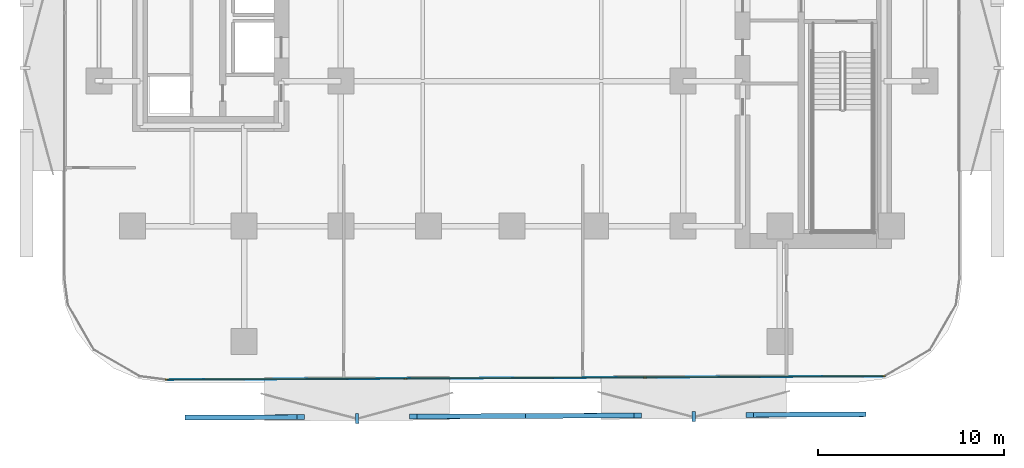
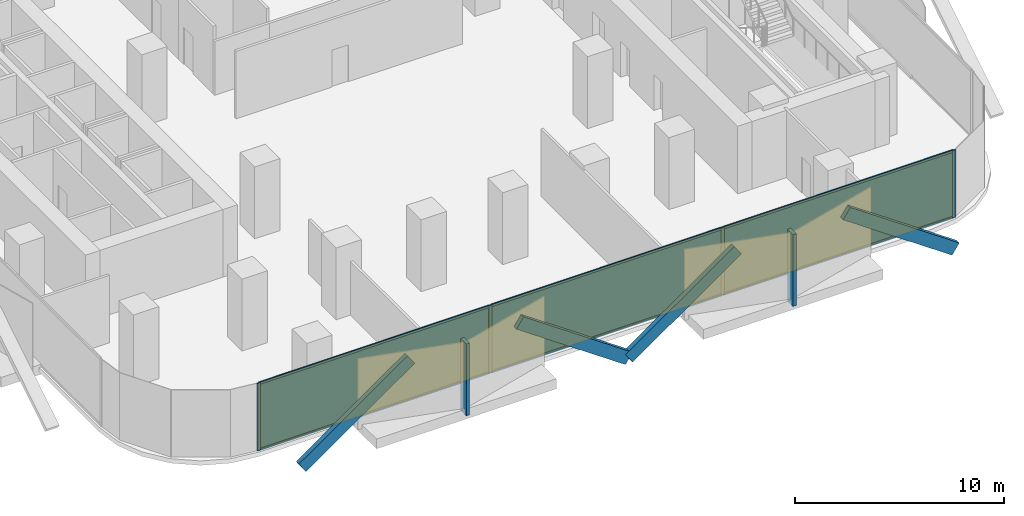
# One storey, part 7 of 15: 16 members, 3 plates, 1 curtain wall.
"""IFC4 building model written with IfcOpenShell, lengths in metres."""

from ifc_helpers import new_model, si_unit, direction, frame, frame_2d, origin, origin_2d, place, context, subcontext, project, spatial, rectangle, extrude, material, layer, layer_set, material_profile, profile_set, type_object, element, aggregate, save


model = new_model("IFC4")

# Units and contexts
model_context = context("Model", 3, precision=1e-05, world=origin(), true_north=direction((0.0, 1.0)))
body_context = subcontext(model_context, "Body", "Model", "MODEL_VIEW")
ifc_project = project(units=[si_unit("LENGTHUNIT", "METRE"), si_unit("AREAUNIT", "SQUARE_METRE"), si_unit("VOLUMEUNIT", "CUBIC_METRE"), si_unit("PLANEANGLEUNIT", "RADIAN"), si_unit("MASSUNIT", "GRAM", prefix="KILO")], contexts=[model_context])

# Member
ifc_material_1 = material(Name="Anodised Bronze Aluminium 6063-T6", Category="aluminium")
ifc_material_profile_1 = material_profile(ifc_material_1, rectangle(XDim=0.260009765625, YDim=0.699951171875, at=origin_2d()))
ifc_profile_set_1 = profile_set([ifc_material_profile_1], Name="Anodised Bronze Aluminium 6063-T6")
member_type_1 = type_object("IfcMemberType", Name="Bronze Diamond Solar-Screen Lattice Rib BDL-700", PredefinedType="MULLION", material=ifc_profile_set_1)
site_placement = place(None, origin())
building_placement = place(site_placement, origin())
storey_placement = place(building_placement, frame((0.0, 0.0, 51.199951171875)))
member_1_placement = place(storey_placement, frame((18.82275390625, -28.718505859375, -0.1298828125), z_axis=(-0.820743653079, -0.003984998518, 0.57128274586), x_axis=(-0.00764700594, 0.999962717129, -0.004010941449)))
member_1 = element("IfcMember", 1, at=member_1_placement, type_object=member_type_1, Name="L12 Bronze Diamond Solar Screen Lattice Rib 49A", PredefinedType="MULLION", context=body_context, shape_type="SweptSolid", body=[
    extrude(rectangle(XDim=0.260009765625, YDim=0.699951171875, at=origin_2d()), origin(), (0.0, 0.0, 1.0), 7.351806640625),
])

member_2_placement = place(storey_placement, frame((0.720947265625, -28.806396484375, -0.1298828125), z_axis=(0.820743653079, 0.003984998518, 0.57128274586), x_axis=(0.00764700594, -0.999962717129, -0.004010941449)))
member_2 = element("IfcMember", 2, at=member_2_placement, type_object=member_type_1, Name="L12 Bronze Diamond Solar Screen Lattice Rib 49B", PredefinedType="MULLION", context=body_context, shape_type="SweptSolid", body=[
    extrude(rectangle(XDim=0.260009765625, YDim=0.699951171875, at=origin_2d()), origin(), (0.0, 0.0, 1.0), 7.351806640625),
])

member_3_placement = place(storey_placement, frame((0.720947265625, -28.806396484375, -0.1298828125), z_axis=(-0.820743653079, -0.003984998518, 0.57128274586), x_axis=(-0.00764700594, 0.999962717129, -0.004010941449)))
member_3 = element("IfcMember", 3, at=member_3_placement, type_object=member_type_1, Name="L12 Bronze Diamond Solar Screen Lattice Rib 50A", PredefinedType="MULLION", context=body_context, shape_type="SweptSolid", body=[
    extrude(rectangle(XDim=0.260009765625, YDim=0.699951171875, at=origin_2d()), origin(), (0.0, 0.0, 1.0), 7.351806640625),
])

member_4_placement = place(storey_placement, frame((-17.380859375, -28.894287109375, -0.1298828125), z_axis=(0.820743653079, 0.003984998518, 0.57128274586), x_axis=(0.00764700594, -0.999962717129, -0.004010941449)))
member_4 = element("IfcMember", 4, at=member_4_placement, type_object=member_type_1, Name="L12 Bronze Diamond Solar Screen Lattice Rib 50B", PredefinedType="MULLION", context=body_context, shape_type="SweptSolid", body=[
    extrude(rectangle(XDim=0.260009765625, YDim=0.699951171875, at=origin_2d()), origin(), (0.0, 0.0, 1.0), 7.351806640625),
])

ifc_material_2 = material(Name="Anodised Bronze Aluminium 6063-T6", Category="aluminium")
ifc_material_profile_2 = material_profile(ifc_material_2, rectangle(XDim=0.179931640625, YDim=0.5400390625, at=origin_2d()))
ifc_profile_set_2 = profile_set([ifc_material_profile_2], Name="Anodised Bronze Aluminium 6063-T6")
member_type_2 = type_object("IfcMemberType", Name="Bronze Solar-Screen Vertical Fold Fin BSF-540", PredefinedType="MULLION", material=ifc_profile_set_2)
member_5_placement = place(storey_placement, frame((9.772216796875, -28.842529296875, -0.1298828125), z_axis=(0.0, 0.0, 1.0), x_axis=(-0.999988059021, -0.004886902454, 0.0)))
member_5 = element("IfcMember", 5, at=member_5_placement, type_object=member_type_2, Name="L12 Bronze Solar Screen Vertical Fin 49", PredefinedType="MULLION", context=body_context, shape_type="SweptSolid", body=[
    extrude(rectangle(XDim=0.179931640625, YDim=0.5400390625, at=origin_2d()), origin(), (0.0, 0.0, 1.0), 4.199951171875),
])

member_6_placement = place(storey_placement, frame((-8.32958984375, -28.930419921875, -0.1298828125), z_axis=(0.0, 0.0, 1.0), x_axis=(-0.999988059021, -0.004886902454, 0.0)))
member_6 = element("IfcMember", 6, at=member_6_placement, type_object=member_type_2, Name="L12 Bronze Solar Screen Vertical Fin 50", PredefinedType="MULLION", context=body_context, shape_type="SweptSolid", body=[
    extrude(rectangle(XDim=0.179931640625, YDim=0.5400390625, at=origin_2d()), origin(), (0.0, 0.0, 1.0), 4.199951171875),
])

ifc_material_3 = material(Name="Anodised Bronze Aluminium 6063-T6", Category="aluminium")
ifc_material_profile_3 = material_profile(ifc_material_3, rectangle(XDim=0.06494140625, YDim=0.179931640625, at=origin_2d()))
ifc_profile_set_3 = profile_set([ifc_material_profile_3], Name="Anodised Bronze Aluminium 6063-T6")
member_type_3 = type_object("IfcMemberType", Name="CW-Z1 Mullion 65x180", PredefinedType="MULLION", material=ifc_profile_set_3)
member_7_placement = place(storey_placement, frame((19.98046875, -26.6728515625, 0.0), z_axis=(0.0, 0.0, 1.0), x_axis=(0.004849219095, -0.999988242468, 0.0)))
member_7 = element("IfcMember", 7, at=member_7_placement, type_object=member_type_3, Name="CW-Z1 mullion 1", PredefinedType="MULLION", context=body_context, shape_type="SweptSolid", body=[
    extrude(rectangle(XDim=0.06494140625, YDim=0.179931640625, at=origin_2d()), origin(), (0.0, 0.0, 1.0), 3.93994140625),
])

member_8_placement = place(storey_placement, frame((7.14501953125, -26.735107421875, 0.0), z_axis=(0.0, 0.0, 1.0), x_axis=(0.004849219095, -0.999988242468, 0.0)))
member_8 = element("IfcMember", 8, at=member_8_placement, type_object=member_type_3, Name="CW-Z1 mullion 2", PredefinedType="MULLION", context=body_context, shape_type="SweptSolid", body=[
    extrude(rectangle(XDim=0.06494140625, YDim=0.179931640625, at=origin_2d()), origin(), (0.0, 0.0, 1.0), 3.93994140625),
])

member_9_placement = place(storey_placement, frame((-5.722900390625, -26.797607421875, 0.0), z_axis=(0.0, 0.0, 1.0), x_axis=(0.004849219095, -0.999988242468, 0.0)))
member_9 = element("IfcMember", 9, at=member_9_placement, type_object=member_type_3, Name="CW-Z1 mullion 3", PredefinedType="MULLION", context=body_context, shape_type="SweptSolid", body=[
    extrude(rectangle(XDim=0.06494140625, YDim=0.179931640625, at=origin_2d()), origin(), (0.0, 0.0, 1.0), 3.93994140625),
])

member_10_placement = place(storey_placement, frame((-18.558349609375, -26.85986328125, 0.0), z_axis=(0.0, 0.0, 1.0), x_axis=(0.004849219095, -0.999988242468, 0.0)))
member_10 = element("IfcMember", 10, at=member_10_placement, type_object=member_type_3, Name="CW-Z1 mullion 4", PredefinedType="MULLION", context=body_context, shape_type="SweptSolid", body=[
    extrude(rectangle(XDim=0.06494140625, YDim=0.179931640625, at=origin_2d()), origin(), (0.0, 0.0, 1.0), 3.93994140625),
])

ifc_material_4 = material(Name="Anodised Bronze Aluminium 6063-T6", Category="aluminium")
ifc_material_profile_4 = material_profile(ifc_material_4, rectangle(XDim=0.06494140625, YDim=0.139892578125, at=origin_2d()))
ifc_profile_set_4 = profile_set([ifc_material_profile_4], Name="Anodised Bronze Aluminium 6063-T6")
member_type_4 = type_object("IfcMemberType", Name="CW-Z1 Transom 65x140", PredefinedType="USERDEFINED", material=ifc_profile_set_4)
member_11_placement = place(storey_placement, frame((19.947998046875, -26.673095703125, 0.032470703125), z_axis=(-0.99998821055, -0.004855796541, 0.0), x_axis=(0.004855796541, -0.99998821055, 0.0)))
member_11 = element("IfcMember", 11, at=member_11_placement, type_object=member_type_4, Name="CW-Z1 transom 1.1", ObjectType="TRANSOM", PredefinedType="USERDEFINED", context=body_context, shape_type="SweptSolid", body=[
    extrude(rectangle(XDim=0.06494140625, YDim=0.139892578125, at=origin_2d()), origin(), (0.0, 0.0, 1.0), 12.770751953125),
])

member_12_placement = place(storey_placement, frame((19.947998046875, -26.673095703125, 3.907470703125), z_axis=(-0.99998821055, -0.004855796541, 0.0), x_axis=(0.004855796541, -0.99998821055, 0.0)))
member_12 = element("IfcMember", 12, at=member_12_placement, type_object=member_type_4, Name="CW-Z1 transom 1.2", ObjectType="TRANSOM", PredefinedType="USERDEFINED", context=body_context, shape_type="SweptSolid", body=[
    extrude(rectangle(XDim=0.06494140625, YDim=0.139892578125, at=origin_2d()), origin(), (0.0, 0.0, 1.0), 12.770751953125),
])

member_13_placement = place(storey_placement, frame((7.112548828125, -26.7353515625, 0.032470703125), z_axis=(-0.999988270274, -0.004843481639, 0.0), x_axis=(0.004843481639, -0.999988270274, 0.0)))
member_13 = element("IfcMember", 13, at=member_13_placement, type_object=member_type_4, Name="CW-Z1 transom 2.1", ObjectType="TRANSOM", PredefinedType="USERDEFINED", context=body_context, shape_type="SweptSolid", body=[
    extrude(rectangle(XDim=0.06494140625, YDim=0.139892578125, at=origin_2d()), origin(), (0.0, 0.0, 1.0), 12.80322265625),
])

member_14_placement = place(storey_placement, frame((7.112548828125, -26.7353515625, 3.907470703125), z_axis=(-0.999988270274, -0.004843481639, 0.0), x_axis=(0.004843481639, -0.999988270274, 0.0)))
member_14 = element("IfcMember", 14, at=member_14_placement, type_object=member_type_4, Name="CW-Z1 transom 2.2", ObjectType="TRANSOM", PredefinedType="USERDEFINED", context=body_context, shape_type="SweptSolid", body=[
    extrude(rectangle(XDim=0.06494140625, YDim=0.139892578125, at=origin_2d()), origin(), (0.0, 0.0, 1.0), 12.80322265625),
])

member_15_placement = place(storey_placement, frame((-5.75537109375, -26.7978515625, 0.032470703125), z_axis=(-0.999988303196, -0.00483667968, 0.0), x_axis=(0.00483667968, -0.999988303196, 0.0)))
member_15 = element("IfcMember", 15, at=member_15_placement, type_object=member_type_4, Name="CW-Z1 transom 3.1", ObjectType="TRANSOM", PredefinedType="USERDEFINED", context=body_context, shape_type="SweptSolid", body=[
    extrude(rectangle(XDim=0.06494140625, YDim=0.139892578125, at=origin_2d()), origin(), (0.0, 0.0, 1.0), 12.770751953125),
])

member_16_placement = place(storey_placement, frame((-5.75537109375, -26.7978515625, 3.907470703125), z_axis=(-0.999988303196, -0.00483667968, 0.0), x_axis=(0.00483667968, -0.999988303196, 0.0)))
member_16 = element("IfcMember", 16, at=member_16_placement, type_object=member_type_4, Name="CW-Z1 transom 3.2", ObjectType="TRANSOM", PredefinedType="USERDEFINED", context=body_context, shape_type="SweptSolid", body=[
    extrude(rectangle(XDim=0.06494140625, YDim=0.139892578125, at=origin_2d()), origin(), (0.0, 0.0, 1.0), 12.770751953125),
])

# Plate
ifc_material_5 = material(Name="Low-E Solar Control Laminated Glass", Category="glass")
ifc_layer_1 = layer(ifc_material_5, 0.028076171875, Name="Low-E Solar Control Laminated Glass")
ifc_layer_set_1 = layer_set([ifc_layer_1], Name="Low-E Solar Control Laminated Glass")
plate_type = type_object("IfcPlateType", Name="CW-Z1 Low-E Double Glazed Panel 28mm", PredefinedType="CURTAIN_PANEL", material=ifc_layer_set_1)
plate_1_placement = place(storey_placement, frame((13.562744140625, -26.7041015625, 0.06494140625), z_axis=(0.0, 0.0, 1.0), x_axis=(-0.999988242468, -0.004849219095, 0.0)))
plate_1 = element("IfcPlate", 17, at=plate_1_placement, type_object=plate_type, Name="CW-Z1 panel 1.1", PredefinedType="CURTAIN_PANEL", context=body_context, shape_type="SweptSolid", body=[
    extrude(rectangle(XDim=12.7705078125, YDim=0.028076171875, at=origin_2d()), origin(), (0.0, 0.0, 1.0), 3.81005859375),
])

plate_2_placement = place(storey_placement, frame((0.7109375, -26.766357421875, 0.06494140625), z_axis=(0.0, 0.0, 1.0), x_axis=(-0.999988242468, -0.004849219095, 0.0)))
plate_2 = element("IfcPlate", 18, at=plate_2_placement, type_object=plate_type, Name="CW-Z1 panel 2.1", PredefinedType="CURTAIN_PANEL", context=body_context, shape_type="SweptSolid", body=[
    extrude(rectangle(XDim=12.802978515625, YDim=0.028076171875, at=origin_2d()), origin(), (0.0, 0.0, 1.0), 3.81005859375),
])

plate_3_placement = place(storey_placement, frame((-12.140625, -26.82861328125, 0.06494140625), z_axis=(0.0, 0.0, 1.0), x_axis=(-0.999988242468, -0.004849219095, 0.0)))
plate_3 = element("IfcPlate", 19, at=plate_3_placement, type_object=plate_type, Name="CW-Z1 panel 3.1", PredefinedType="CURTAIN_PANEL", context=body_context, shape_type="SweptSolid", body=[
    extrude(rectangle(XDim=12.7705078125, YDim=0.028076171875, at=origin_2d()), origin(), (0.0, 0.0, 1.0), 3.81005859375),
])

# Site, building, storey
site = spatial("IfcSite", under=ifc_project, at=site_placement, CompositionType="ELEMENT")
building = spatial("IfcBuilding", under=site, at=building_placement, Name="Khairoan Windgate Tower", CompositionType="ELEMENT")
storey = spatial("IfcBuildingStorey", under=building, at=storey_placement, Name="L12", CompositionType="ELEMENT", Elevation=51.199951171875)

# Curtain wall
ifc_material_6 = material(Name="Anodised Bronze Aluminium 6063-T6", Category="aluminium")
ifc_layer_2 = layer(ifc_material_6, 0.179931640625, Name="Anodised Bronze Aluminium 6063-T6")
ifc_layer_set_2 = layer_set([ifc_layer_2], Name="Anodised Bronze Aluminium 6063-T6")
curtain_wall_type = type_object("IfcCurtainWallType", Name="Low-Rise Office Unitised Curtain Wall CW-Z1", PredefinedType="NOTDEFINED", material=ifc_layer_set_2)
curtain_wall_placement = place(storey_placement, frame((20.012939453125, -26.6728515625, 0.0), z_axis=(0.0, 0.0, 1.0), x_axis=(-0.999988235487, -0.004850658525, 0.0)))
curtain_wall = element("IfcCurtainWall", 20, at=curtain_wall_placement, inside=storey, type_object=curtain_wall_type, Name="L12 Unitised Curtain Wall 1", PredefinedType="NOTDEFINED", context=body_context, shape_type="SweptSolid", body=[
    extrude(rectangle(XDim=38.604248046875, YDim=0.010009765625, at=frame_2d((19.30224609375, 0.0))), origin(), (0.0, 0.0, 1.0), 3.93994140625),
])

aggregate(curtain_wall, [member_7, member_8, member_9, member_10, member_11, member_12, plate_1, member_13, member_14, plate_2, member_15, member_16, plate_3, member_1, member_2, member_5, member_3, member_4, member_6])

save(model, "model.ifc")
